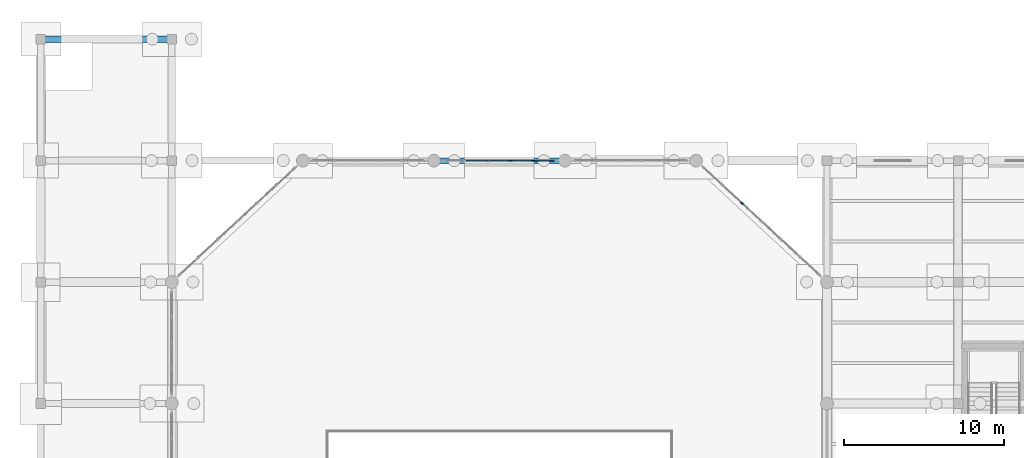
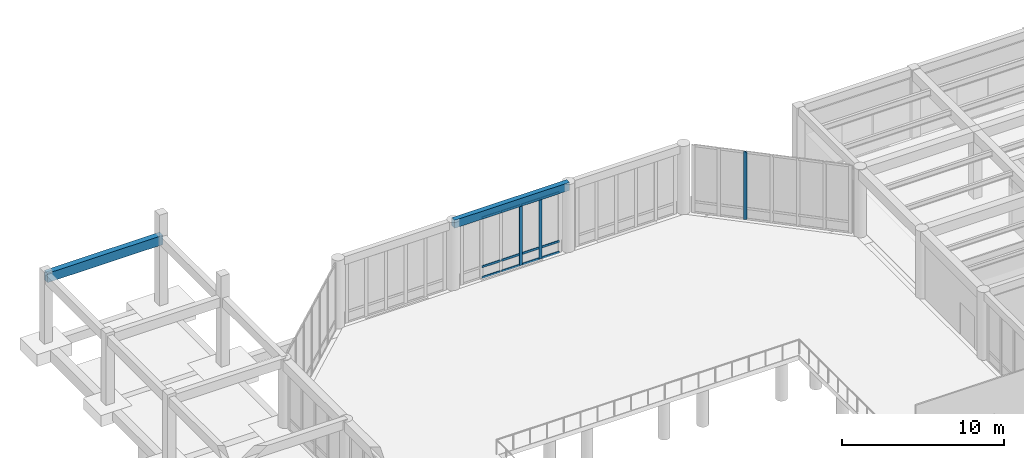
# One storey, part 25 of 64: 15 members, 2 beams, 2 elements without a shape of their own.
"""IFC4 building model written with IfcOpenShell, lengths in metres."""

from ifc_helpers import new_model, si_unit, direction, frame, origin, origin_2d, place, context, subcontext, project, spatial, rectangle, extrude, material, material_profile, profile_set, type_object, element, aggregate, save


model = new_model("IFC4")

# Units and contexts
model_context = context("Model", 3, precision=1e-05, world=origin(), true_north=direction((0.0, 1.0)))
body_context = subcontext(model_context, "Body", "Model", "MODEL_VIEW")
ifc_project = project(units=[si_unit("LENGTHUNIT", "METRE"), si_unit("AREAUNIT", "SQUARE_METRE"), si_unit("VOLUMEUNIT", "CUBIC_METRE"), si_unit("PLANEANGLEUNIT", "RADIAN"), si_unit("MASSUNIT", "GRAM", prefix="KILO")], contexts=[model_context])

# Site, building, storey
site_placement = place(None, origin())
site = spatial("IfcSite", under=ifc_project, at=site_placement, CompositionType="ELEMENT")
building_placement = place(site_placement, origin())
building = spatial("IfcBuilding", under=site, at=building_placement, Name="Qandaris Square Conservatory and Botanical Centre", CompositionType="ELEMENT")
storey_placement = place(building_placement, origin())
storey = spatial("IfcBuildingStorey", under=building, at=storey_placement, Name="L00", CompositionType="ELEMENT", Elevation=0.0)

# Curtain wall, member
ifc_material_1 = material(Name="Anodised Aluminium", Category="aluminium")
curtain_wall_type_1 = type_object("IfcCurtainWallType", Name="Unitised Curtain Wall CW-1-1002x510", PredefinedType="USERDEFINED", material=ifc_material_1)
curtain_wall_1_placement = place(storey_placement, origin())
curtain_wall_1 = element("IfcCurtainWall", 1, at=curtain_wall_1_placement, inside=storey, type_object=curtain_wall_type_1, Name="Curtain Wall CW-CON-L00-4-1", ObjectType="GLAZED CURTAIN WALL", PredefinedType="USERDEFINED")
ifc_material_profile_1 = material_profile(ifc_material_1, rectangle(XDim=0.074951171875, YDim=0.219970703125, at=origin_2d()), Name="ALU-MUL 75x220")
ifc_profile_set_1 = profile_set([ifc_material_profile_1], Name="Anodised Aluminium")
member_type_1 = type_object("IfcMemberType", Name="Conservatory Heavy Mullion 75x220", PredefinedType="MULLION", material=ifc_profile_set_1)
member_1_placement = place(storey_placement, frame((51.875244140625, 112.7353515625, 0.0), z_axis=(0.0, 0.0, 1.0), x_axis=(-0.679761784592, -0.733432966404, 0.0)))
member_1 = element("IfcMember", 2, at=member_1_placement, type_object=member_type_1, Name="CW-1-1002x510 mullion 5", PredefinedType="MULLION", context=body_context, shape_type="SweptSolid", body=[
    extrude(rectangle(XDim=0.074951171875, YDim=0.219970703125, at=origin_2d()), origin(), (0.0, 0.0, 1.0), 5.10009765625),
])
aggregate(curtain_wall_1, [member_1])

# Curtain wall, members
curtain_wall_type_2 = type_object("IfcCurtainWallType", Name="Unitised Curtain Wall CW-1-704x454", PredefinedType="USERDEFINED", material=ifc_material_1)
curtain_wall_2_placement = place(storey_placement, origin())
curtain_wall_2 = element("IfcCurtainWall", 3, at=curtain_wall_2_placement, inside=storey, type_object=curtain_wall_type_2, Name="Curtain Wall CW-CON-L00-5-2", ObjectType="GLAZED CURTAIN WALL", PredefinedType="USERDEFINED")
member_2_placement = place(storey_placement, frame((38.81201171875, 115.39990234375, 0.0), z_axis=(0.0, 0.0, 1.0), x_axis=(0.0, -1.0, 0.0)))
member_2 = element("IfcMember", 4, at=member_2_placement, type_object=member_type_1, Name="CW-1-704x454 mullion 2", PredefinedType="MULLION", context=body_context, shape_type="SweptSolid", body=[
    extrude(rectangle(XDim=0.074951171875, YDim=0.219970703125, at=origin_2d()), origin(), (0.0, 0.0, 1.0), 4.544921875),
])
member_3_placement = place(storey_placement, frame((37.404052734375, 115.39990234375, 0.0), z_axis=(0.0, 0.0, 1.0), x_axis=(0.0, -1.0, 0.0)))
member_3 = element("IfcMember", 5, at=member_3_placement, type_object=member_type_1, Name="CW-1-704x454 mullion 3", PredefinedType="MULLION", context=body_context, shape_type="SweptSolid", body=[
    extrude(rectangle(XDim=0.074951171875, YDim=0.219970703125, at=origin_2d()), origin(), (0.0, 0.0, 1.0), 4.544921875),
])
ifc_material_profile_2 = material_profile(ifc_material_1, rectangle(XDim=0.074951171875, YDim=0.159912109375, at=origin_2d()), Name="ALU-TRN 75x160")
ifc_profile_set_2 = profile_set([ifc_material_profile_2], Name="Anodised Aluminium")
member_type_2 = type_object("IfcMemberType", Name="Conservatory Heavy Transom 75x160", PredefinedType="USERDEFINED", material=ifc_profile_set_2)
member_4_placement = place(storey_placement, frame((40.14501953125, 115.39990234375, 0.03759765625), z_axis=(-1.0, 0.0, 0.0), x_axis=(0.0, -1.0, 0.0)))
member_4 = element("IfcMember", 6, at=member_4_placement, type_object=member_type_2, Name="CW-1-704x454 transom 1.1", ObjectType="TRANSOM", PredefinedType="USERDEFINED", context=body_context, shape_type="SweptSolid", body=[
    extrude(rectangle(XDim=0.074951171875, YDim=0.159912109375, at=origin_2d()), origin(), (0.0, 0.0, 1.0), 1.29541015625),
])
member_5_placement = place(storey_placement, frame((40.14501953125, 115.39990234375, 0.85009765625), z_axis=(-1.0, 0.0, 0.0), x_axis=(0.0, -1.0, 0.0)))
member_5 = element("IfcMember", 7, at=member_5_placement, type_object=member_type_2, Name="CW-1-704x454 transom 1.2", ObjectType="TRANSOM", PredefinedType="USERDEFINED", context=body_context, shape_type="SweptSolid", body=[
    extrude(rectangle(XDim=0.074951171875, YDim=0.159912109375, at=origin_2d()), origin(), (0.0, 0.0, 1.0), 1.29541015625),
])
member_6_placement = place(storey_placement, frame((40.14501953125, 115.39990234375, 4.507568359375), z_axis=(-1.0, 0.0, 0.0), x_axis=(0.0, -1.0, 0.0)))
member_6 = element("IfcMember", 8, at=member_6_placement, type_object=member_type_2, Name="CW-1-704x454 transom 1.3", ObjectType="TRANSOM", PredefinedType="USERDEFINED", context=body_context, shape_type="SweptSolid", body=[
    extrude(rectangle(XDim=0.074951171875, YDim=0.159912109375, at=origin_2d()), origin(), (0.0, 0.0, 1.0), 1.29541015625),
])
member_7_placement = place(storey_placement, frame((38.7744140625, 115.39990234375, 0.03759765625), z_axis=(-1.0, 0.0, 0.0), x_axis=(0.0, -1.0, 0.0)))
member_7 = element("IfcMember", 9, at=member_7_placement, type_object=member_type_2, Name="CW-1-704x454 transom 2.1", ObjectType="TRANSOM", PredefinedType="USERDEFINED", context=body_context, shape_type="SweptSolid", body=[
    extrude(rectangle(XDim=0.074951171875, YDim=0.159912109375, at=origin_2d()), origin(), (0.0, 0.0, 1.0), 1.3330078125),
])
member_8_placement = place(storey_placement, frame((38.7744140625, 115.39990234375, 0.85009765625), z_axis=(-1.0, 0.0, 0.0), x_axis=(0.0, -1.0, 0.0)))
member_8 = element("IfcMember", 10, at=member_8_placement, type_object=member_type_2, Name="CW-1-704x454 transom 2.2", ObjectType="TRANSOM", PredefinedType="USERDEFINED", context=body_context, shape_type="SweptSolid", body=[
    extrude(rectangle(XDim=0.074951171875, YDim=0.159912109375, at=origin_2d()), origin(), (0.0, 0.0, 1.0), 1.3330078125),
])
member_9_placement = place(storey_placement, frame((38.7744140625, 115.39990234375, 4.507568359375), z_axis=(-1.0, 0.0, 0.0), x_axis=(0.0, -1.0, 0.0)))
member_9 = element("IfcMember", 11, at=member_9_placement, type_object=member_type_2, Name="CW-1-704x454 transom 2.3", ObjectType="TRANSOM", PredefinedType="USERDEFINED", context=body_context, shape_type="SweptSolid", body=[
    extrude(rectangle(XDim=0.074951171875, YDim=0.159912109375, at=origin_2d()), origin(), (0.0, 0.0, 1.0), 1.3330078125),
])
member_10_placement = place(storey_placement, frame((37.366455078125, 115.39990234375, 0.03759765625), z_axis=(-1.0, 0.0, 0.0), x_axis=(0.0, -1.0, 0.0)))
member_10 = element("IfcMember", 12, at=member_10_placement, type_object=member_type_2, Name="CW-1-704x454 transom 3.1", ObjectType="TRANSOM", PredefinedType="USERDEFINED", context=body_context, shape_type="SweptSolid", body=[
    extrude(rectangle(XDim=0.074951171875, YDim=0.159912109375, at=origin_2d()), origin(), (0.0, 0.0, 1.0), 1.3330078125),
])
member_11_placement = place(storey_placement, frame((37.366455078125, 115.39990234375, 0.85009765625), z_axis=(-1.0, 0.0, 0.0), x_axis=(0.0, -1.0, 0.0)))
member_11 = element("IfcMember", 13, at=member_11_placement, type_object=member_type_2, Name="CW-1-704x454 transom 3.2", ObjectType="TRANSOM", PredefinedType="USERDEFINED", context=body_context, shape_type="SweptSolid", body=[
    extrude(rectangle(XDim=0.074951171875, YDim=0.159912109375, at=origin_2d()), origin(), (0.0, 0.0, 1.0), 1.3330078125),
])
member_12_placement = place(storey_placement, frame((37.366455078125, 115.39990234375, 4.507568359375), z_axis=(-1.0, 0.0, 0.0), x_axis=(0.0, -1.0, 0.0)))
member_12 = element("IfcMember", 14, at=member_12_placement, type_object=member_type_2, Name="CW-1-704x454 transom 3.3", ObjectType="TRANSOM", PredefinedType="USERDEFINED", context=body_context, shape_type="SweptSolid", body=[
    extrude(rectangle(XDim=0.074951171875, YDim=0.159912109375, at=origin_2d()), origin(), (0.0, 0.0, 1.0), 1.3330078125),
])
member_13_placement = place(storey_placement, frame((35.95849609375, 115.39990234375, 0.03759765625), z_axis=(-1.0, 0.0, 0.0), x_axis=(0.0, -1.0, 0.0)))
member_13 = element("IfcMember", 15, at=member_13_placement, type_object=member_type_2, Name="CW-1-704x454 transom 4.1", ObjectType="TRANSOM", PredefinedType="USERDEFINED", context=body_context, shape_type="SweptSolid", body=[
    extrude(rectangle(XDim=0.074951171875, YDim=0.159912109375, at=origin_2d()), origin(), (0.0, 0.0, 1.0), 1.3330078125),
])
member_14_placement = place(storey_placement, frame((35.95849609375, 115.39990234375, 0.85009765625), z_axis=(-1.0, 0.0, 0.0), x_axis=(0.0, -1.0, 0.0)))
member_14 = element("IfcMember", 16, at=member_14_placement, type_object=member_type_2, Name="CW-1-704x454 transom 4.2", ObjectType="TRANSOM", PredefinedType="USERDEFINED", context=body_context, shape_type="SweptSolid", body=[
    extrude(rectangle(XDim=0.074951171875, YDim=0.159912109375, at=origin_2d()), origin(), (0.0, 0.0, 1.0), 1.3330078125),
])
member_15_placement = place(storey_placement, frame((35.95849609375, 115.39990234375, 4.507568359375), z_axis=(-1.0, 0.0, 0.0), x_axis=(0.0, -1.0, 0.0)))
member_15 = element("IfcMember", 17, at=member_15_placement, type_object=member_type_2, Name="CW-1-704x454 transom 4.3", ObjectType="TRANSOM", PredefinedType="USERDEFINED", context=body_context, shape_type="SweptSolid", body=[
    extrude(rectangle(XDim=0.074951171875, YDim=0.159912109375, at=origin_2d()), origin(), (0.0, 0.0, 1.0), 1.3330078125),
])
aggregate(curtain_wall_2, [member_2, member_3, member_4, member_5, member_6, member_7, member_8, member_9, member_10, member_11, member_12, member_13, member_14, member_15])

# Beams
ifc_material_2 = material(Name="Concrete C50/60", Category="concrete")
ifc_material_profile_3 = material_profile(ifc_material_2, rectangle(XDim=0.39990234375, YDim=0.699951171875, at=origin_2d()), Name="RC-SP 400x700")
ifc_profile_set_3 = profile_set([ifc_material_profile_3], Name="Concrete C50/60")
beam_type_1 = type_object("IfcBeamType", Name="RC Colonnade Spandrel Beam 400x700", PredefinedType="SPANDREL", material=ifc_profile_set_3)
beam_1_placement = place(storey_placement, frame((8.0, 123.0, 4.824951171875), z_axis=(1.0, 0.0, 0.0), x_axis=(0.0, 1.0, 0.0)))
element("IfcBeam", 18, at=beam_1_placement, inside=storey, type_object=beam_type_1, Name="L00 Frame Beam 0502", PredefinedType="SPANDREL", context=body_context, shape_type="SweptSolid", body=[
    extrude(rectangle(XDim=0.39990234375, YDim=0.699951171875, at=origin_2d()), origin(), (0.0, 0.0, 1.0), 8.199951171875),
])
ifc_material_profile_4 = material_profile(ifc_material_2, rectangle(XDim=0.35009765625, YDim=0.60009765625, at=origin_2d()), Name="RC-SP 350x600")
ifc_profile_set_4 = profile_set([ifc_material_profile_4], Name="Concrete C50/60")
beam_type_2 = type_object("IfcBeamType", Name="RC Edge Spandrel Beam 350x600", PredefinedType="SPANDREL", material=ifc_profile_set_4)
beam_2_placement = place(storey_placement, frame((32.60009765625, 115.39990234375, 4.844970703125), z_axis=(1.0, 0.0, 0.0), x_axis=(0.0, 1.0, 0.0)))
element("IfcBeam", 19, at=beam_2_placement, inside=storey, type_object=beam_type_2, Name="L00 Frame Beam 0486", PredefinedType="SPANDREL", context=body_context, shape_type="SweptSolid", body=[
    extrude(rectangle(XDim=0.35009765625, YDim=0.60009765625, at=origin_2d()), origin(), (0.0, 0.0, 1.0), 8.199951171875),
])

save(model, "model.ifc")
